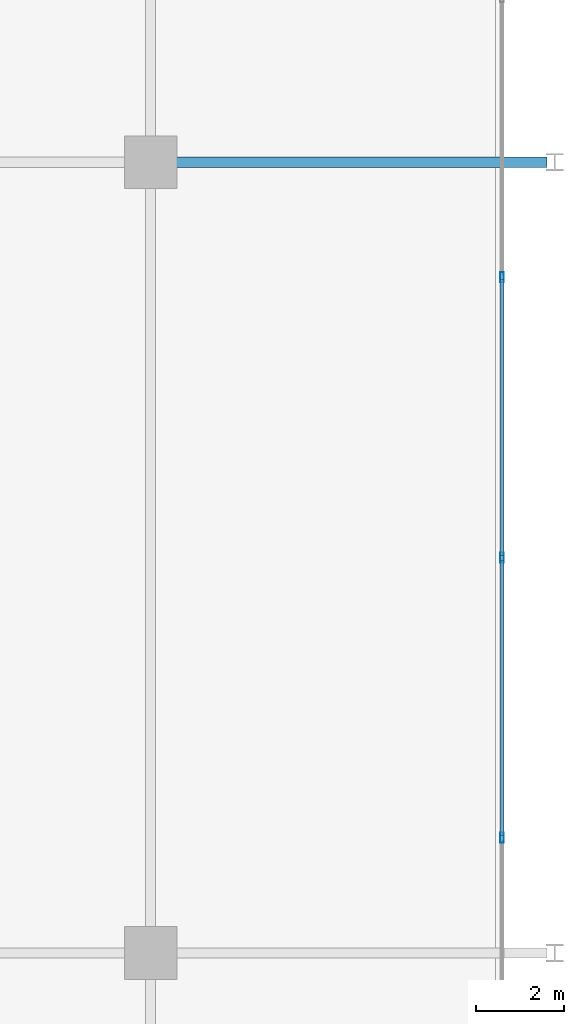
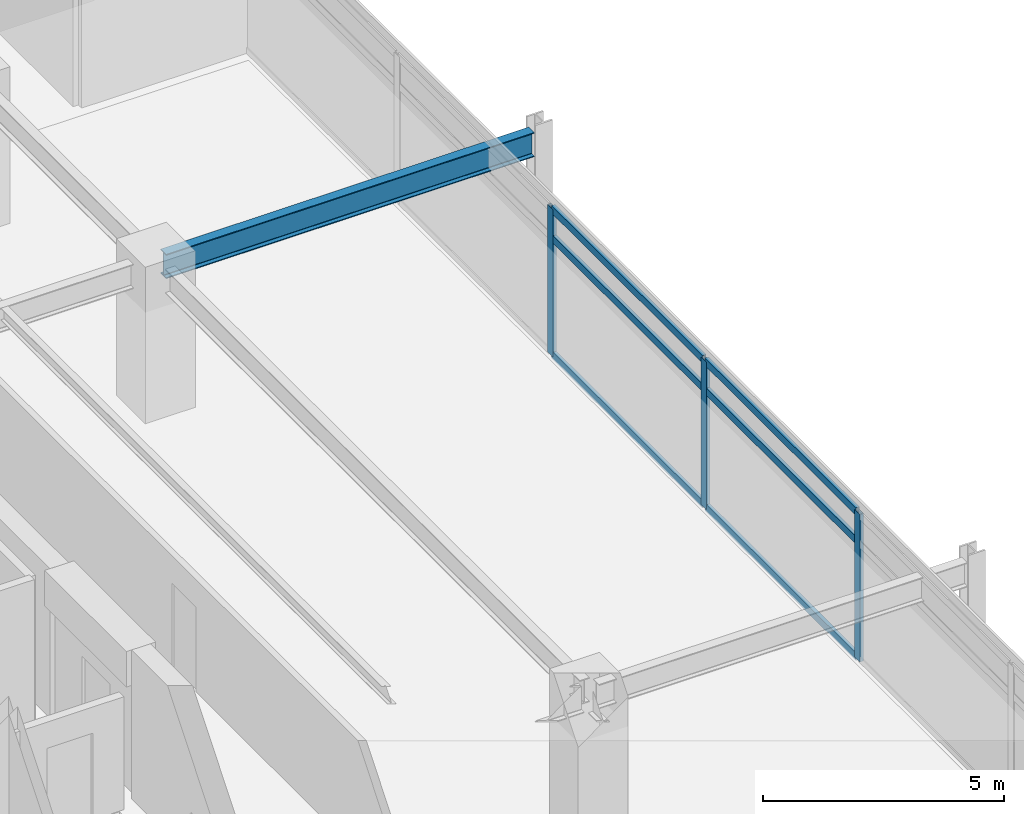
# One storey, part 9 of 18: 9 members, 1 beam, 1 element without a shape of its own.
"""IFC4 building model written with IfcOpenShell, lengths in metres."""

from ifc_helpers import new_model, si_unit, direction, frame, origin, origin_2d, place, context, subcontext, project, spatial, hollow_rectangle, i_section, extrude, material, material_profile, profile_set, type_object, element, aggregate, save


model = new_model("IFC4")

# Units and contexts
model_context = context("Model", 3, precision=1e-05, world=origin(), true_north=direction((0.0, 1.0)))
body_context = subcontext(model_context, "Body", "Model", "MODEL_VIEW")
ifc_project = project(units=[si_unit("LENGTHUNIT", "METRE"), si_unit("AREAUNIT", "SQUARE_METRE"), si_unit("VOLUMEUNIT", "CUBIC_METRE"), si_unit("PLANEANGLEUNIT", "RADIAN"), si_unit("MASSUNIT", "GRAM", prefix="KILO")], contexts=[model_context])

# Site, building, storey
site_placement = place(None, origin())
site = spatial("IfcSite", under=ifc_project, at=site_placement, CompositionType="ELEMENT")
building_placement = place(site_placement, origin())
building = spatial("IfcBuilding", under=site, at=building_placement, Name="Kovane Verandah Tower", CompositionType="ELEMENT")
storey_placement = place(building_placement, frame((0.0, 0.0, 251.199951171875)))
storey = spatial("IfcBuildingStorey", under=building, at=storey_placement, Name="L58", CompositionType="ELEMENT", Elevation=251.199951171875)

# Beam
ifc_material_1 = material(Name="Steel S355", Category="steel")
ifc_material_profile_1 = material_profile(ifc_material_1, i_section(OverallWidth=0.230224609375, OverallDepth=0.6171875, WebThickness=0.01318359375, FlangeThickness=0.022216796875, FilletRadius=0.0126953125, at=origin_2d()), Name="UB610x229x140")
ifc_profile_set_1 = profile_set([ifc_material_profile_1], Name="Steel S355")
beam_type = type_object("IfcBeamType", Name="BM-UB610x140", PredefinedType="BEAM", material=ifc_profile_set_1)
beam_placement = place(storey_placement, frame((58.580078125, 36.5, 3.451416015625), z_axis=(1.0, 0.0, 0.0), x_axis=(0.0, 1.0, 0.0)))
element("IfcBeam", 1, at=beam_placement, inside=storey, type_object=beam_type, Name="L58 Primary Tower Girder G-VE2", PredefinedType="BEAM", context=body_context, shape_type="SweptSolid", body=[
    extrude(i_section(OverallWidth=0.230224609375, OverallDepth=0.6171875, WebThickness=0.01318359375, FlangeThickness=0.022216796875, FilletRadius=0.0126953125, at=origin_2d()), origin(), (0.0, 0.0, 1.0), 8.83984375),
])

# Curtain wall, members
ifc_material_2 = material(Name="Champagne Anodised Aluminium Frame with Low-E Clear Laminated Glass", Category="aluminium")
curtain_wall_type = type_object("IfcCurtainWallType", Name="CW-SYS-05-HIGH", PredefinedType="NOTDEFINED", material=ifc_material_2)
curtain_wall_placement = place(storey_placement, origin())
curtain_wall = element("IfcCurtainWall", 2, at=curtain_wall_placement, inside=storey, type_object=curtain_wall_type, Name="L58 E Unitised Curtain Wall", PredefinedType="NOTDEFINED")
ifc_material_3 = material(Name="Champagne Anodised Aluminium 6063-T6", Category="aluminium")
ifc_material_profile_2 = material_profile(ifc_material_3, hollow_rectangle(XDim=0.0849609375, YDim=0.22998046875, WallThickness=0.00390625, at=origin_2d()), Name="AL85x230x4")
ifc_profile_set_2 = profile_set([ifc_material_profile_2], Name="Champagne Anodised Aluminium 6063-T6")
member_type_1 = type_object("IfcMemberType", Name="CW-MUL-85x230", PredefinedType="MULLION", material=ifc_profile_set_2)
member_1_placement = place(storey_placement, frame((66.396240234375, 21.120849609375, 0.02001953125), z_axis=(0.0, 0.0, 1.0), x_axis=(1.0, 0.0, 0.0)))
member_1 = element("IfcMember", 3, at=member_1_placement, type_object=member_type_1, Name="L58 E Unitised Curtain Wall Mullion 3", PredefinedType="MULLION", context=body_context, shape_type="SweptSolid", body=[
    extrude(hollow_rectangle(XDim=0.0849609375, YDim=0.22998046875, WallThickness=0.00390625, at=origin_2d()), origin(), (0.0, 0.0, 1.0), 3.7451171875),
])
member_2_placement = place(storey_placement, frame((66.396240234375, 27.5, 0.02001953125), z_axis=(0.0, 0.0, 1.0), x_axis=(1.0, 0.0, 0.0)))
member_2 = element("IfcMember", 4, at=member_2_placement, type_object=member_type_1, Name="L58 E Unitised Curtain Wall Mullion 4", PredefinedType="MULLION", context=body_context, shape_type="SweptSolid", body=[
    extrude(hollow_rectangle(XDim=0.0849609375, YDim=0.22998046875, WallThickness=0.00390625, at=origin_2d()), origin(), (0.0, 0.0, 1.0), 3.7451171875),
])
member_3_placement = place(storey_placement, frame((66.396240234375, 33.879150390625, 0.02001953125), z_axis=(0.0, 0.0, 1.0), x_axis=(1.0, 0.0, 0.0)))
member_3 = element("IfcMember", 5, at=member_3_placement, type_object=member_type_1, Name="L58 E Unitised Curtain Wall Mullion 5", PredefinedType="MULLION", context=body_context, shape_type="SweptSolid", body=[
    extrude(hollow_rectangle(XDim=0.0849609375, YDim=0.22998046875, WallThickness=0.00390625, at=origin_2d()), origin(), (0.0, 0.0, 1.0), 3.7451171875),
])
ifc_material_profile_3 = material_profile(ifc_material_3, hollow_rectangle(XDim=0.0849609375, YDim=0.18994140625, WallThickness=0.00390625, at=origin_2d()), Name="AL85x190x4")
ifc_profile_set_3 = profile_set([ifc_material_profile_3], Name="Champagne Anodised Aluminium 6063-T6")
member_type_2 = type_object("IfcMemberType", Name="CW-TRN-85x190", PredefinedType="USERDEFINED", material=ifc_profile_set_3)
member_4_placement = place(storey_placement, frame((66.396240234375, 21.1708984375, 0.050048828125), z_axis=(0.0, 1.0, 0.0), x_axis=(-1.0, 0.0, 0.0)))
member_4 = element("IfcMember", 6, at=member_4_placement, type_object=member_type_2, Name="L58 E Unitised Curtain Wall Transom TB Bay 3", ObjectType="TRANSOM", PredefinedType="USERDEFINED", context=body_context, shape_type="SweptSolid", body=[
    extrude(hollow_rectangle(XDim=0.0849609375, YDim=0.18994140625, WallThickness=0.00390625, at=origin_2d()), origin(), (0.0, 0.0, 1.0), 6.279052734375),
])
member_5_placement = place(storey_placement, frame((66.396240234375, 21.1708984375, 3.005126953125), z_axis=(0.0, 1.0, 0.0), x_axis=(-1.0, 0.0, 0.0)))
member_5 = element("IfcMember", 7, at=member_5_placement, type_object=member_type_2, Name="L58 E Unitised Curtain Wall Transom TM Bay 3", ObjectType="TRANSOM", PredefinedType="USERDEFINED", context=body_context, shape_type="SweptSolid", body=[
    extrude(hollow_rectangle(XDim=0.0849609375, YDim=0.18994140625, WallThickness=0.00390625, at=origin_2d()), origin(), (0.0, 0.0, 1.0), 6.279052734375),
])
member_6_placement = place(storey_placement, frame((66.396240234375, 21.1708984375, 3.735107421875), z_axis=(0.0, 1.0, 0.0), x_axis=(-1.0, 0.0, 0.0)))
member_6 = element("IfcMember", 8, at=member_6_placement, type_object=member_type_2, Name="L58 E Unitised Curtain Wall Transom TT Bay 3", ObjectType="TRANSOM", PredefinedType="USERDEFINED", context=body_context, shape_type="SweptSolid", body=[
    extrude(hollow_rectangle(XDim=0.0849609375, YDim=0.18994140625, WallThickness=0.00390625, at=origin_2d()), origin(), (0.0, 0.0, 1.0), 6.279052734375),
])
member_7_placement = place(storey_placement, frame((66.396240234375, 27.550048828125, 0.050048828125), z_axis=(0.0, 1.0, 0.0), x_axis=(-1.0, 0.0, 0.0)))
member_7 = element("IfcMember", 9, at=member_7_placement, type_object=member_type_2, Name="L58 E Unitised Curtain Wall Transom TB Bay 4", ObjectType="TRANSOM", PredefinedType="USERDEFINED", context=body_context, shape_type="SweptSolid", body=[
    extrude(hollow_rectangle(XDim=0.0849609375, YDim=0.18994140625, WallThickness=0.00390625, at=origin_2d()), origin(), (0.0, 0.0, 1.0), 6.279052734375),
])
member_8_placement = place(storey_placement, frame((66.396240234375, 27.550048828125, 3.005126953125), z_axis=(0.0, 1.0, 0.0), x_axis=(-1.0, 0.0, 0.0)))
member_8 = element("IfcMember", 10, at=member_8_placement, type_object=member_type_2, Name="L58 E Unitised Curtain Wall Transom TM Bay 4", ObjectType="TRANSOM", PredefinedType="USERDEFINED", context=body_context, shape_type="SweptSolid", body=[
    extrude(hollow_rectangle(XDim=0.0849609375, YDim=0.18994140625, WallThickness=0.00390625, at=origin_2d()), origin(), (0.0, 0.0, 1.0), 6.279052734375),
])
member_9_placement = place(storey_placement, frame((66.396240234375, 27.550048828125, 3.735107421875), z_axis=(0.0, 1.0, 0.0), x_axis=(-1.0, 0.0, 0.0)))
member_9 = element("IfcMember", 11, at=member_9_placement, type_object=member_type_2, Name="L58 E Unitised Curtain Wall Transom TT Bay 4", ObjectType="TRANSOM", PredefinedType="USERDEFINED", context=body_context, shape_type="SweptSolid", body=[
    extrude(hollow_rectangle(XDim=0.0849609375, YDim=0.18994140625, WallThickness=0.00390625, at=origin_2d()), origin(), (0.0, 0.0, 1.0), 6.279052734375),
])
aggregate(curtain_wall, [member_1, member_2, member_3, member_4, member_5, member_6, member_7, member_8, member_9])

save(model, "model.ifc")
